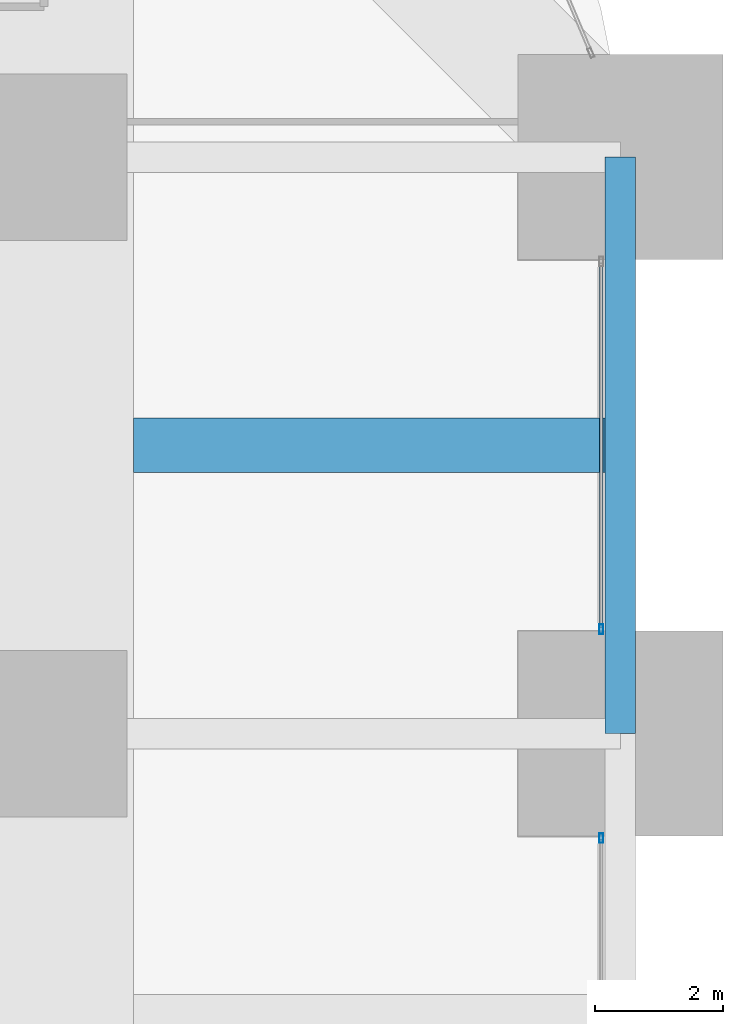
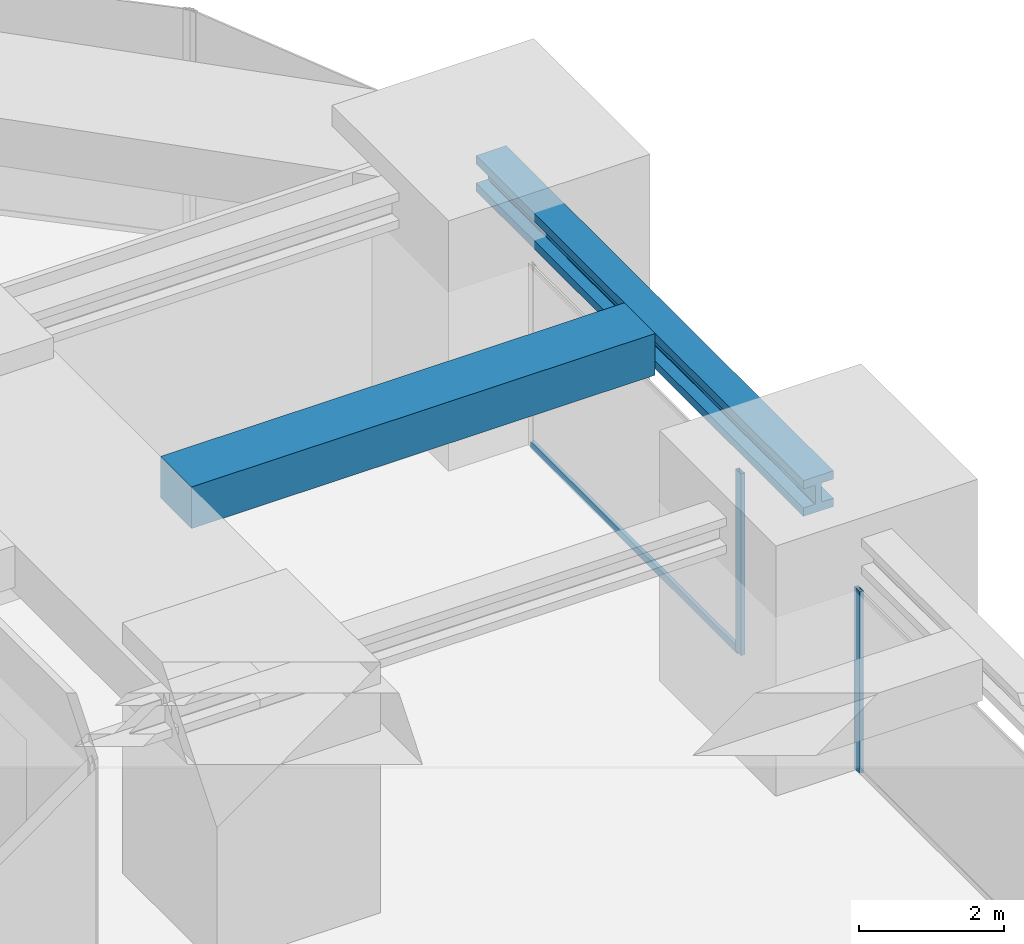
# One storey, part 26 of 45: 3 members, 2 beams, 2 elements without a shape of their own.
"""IFC4 building model written with IfcOpenShell, lengths in metres."""

from ifc_helpers import new_model, si_unit, direction, frame, origin, origin_2d, place, context, subcontext, project, spatial, rectangle, hollow_rectangle, i_section, extrude, material, material_profile, profile_set, type_object, element, aggregate, save


model = new_model("IFC4")

# Units and contexts
model_context = context("Model", 3, precision=1e-05, world=origin(), true_north=direction((0.0, 1.0)))
body_context = subcontext(model_context, "Body", "Model", "MODEL_VIEW")
ifc_project = project(units=[si_unit("LENGTHUNIT", "METRE"), si_unit("AREAUNIT", "SQUARE_METRE"), si_unit("VOLUMEUNIT", "CUBIC_METRE"), si_unit("PLANEANGLEUNIT", "RADIAN"), si_unit("MASSUNIT", "GRAM", prefix="KILO")], contexts=[model_context])

# Site, building, storey
site_placement = place(None, origin())
site = spatial("IfcSite", under=ifc_project, at=site_placement, CompositionType="ELEMENT")
building_placement = place(site_placement, origin())
building = spatial("IfcBuilding", under=site, at=building_placement, Name="Zorevar Civic Tower", CompositionType="ELEMENT")
storey_placement = place(building_placement, frame((0.0, 0.0, 153.0)))
storey = spatial("IfcBuildingStorey", under=building, at=storey_placement, Name="L37", CompositionType="ELEMENT", Elevation=153.0)

# Beams
ifc_material_1 = material(Name="Concrete C50/60", Category="concrete")
ifc_material_profile_1 = material_profile(ifc_material_1, rectangle(XDim=0.85009765625, YDim=0.699951171875, at=origin_2d()), Name="RC 850x700")
ifc_profile_set_1 = profile_set([ifc_material_profile_1], Name="Concrete C50/60")
beam_type_1 = type_object("IfcBeamType", Name="Beam RC 850x700", PredefinedType="BEAM", material=ifc_profile_set_1)
beam_1_placement = place(storey_placement, frame((55.39990234375, 31.5, 3.5), z_axis=(1.0, 0.0, 0.0), x_axis=(0.0, 1.0, 0.0)))
element("IfcBeam", 1, at=beam_1_placement, inside=storey, type_object=beam_type_1, Name="Secondary beam L38", PredefinedType="BEAM", context=body_context, shape_type="SweptSolid", body=[
    extrude(rectangle(XDim=0.85009765625, YDim=0.699951171875, at=origin_2d()), origin(), (0.0, 0.0, 1.0), 7.362060546875),
])
ifc_material_2 = material(Name="Steel S460M (HISTAR 460)", Category="steel")
ifc_material_profile_2 = material_profile(ifc_material_2, i_section(OverallWidth=0.47607421875, OverallDepth=0.60009765625, WebThickness=0.10009765625, FlangeThickness=0.139892578125, FilletRadius=0.014892578125, at=origin_2d()), Name="HD 400x1299")
ifc_profile_set_2 = profile_set([ifc_material_profile_2], Name="Steel S460M (HISTAR 460)")
beam_type_2 = type_object("IfcBeamType", Name="Belt chord HD 400x1299", PredefinedType="BEAM", material=ifc_profile_set_2)
beam_2_placement = place(storey_placement, frame((63.0, 27.0, 3.550048828125), z_axis=(0.0, 1.0, 0.0), x_axis=(-1.0, 0.0, 0.0)))
element("IfcBeam", 2, at=beam_2_placement, inside=storey, type_object=beam_type_2, Name="Belt chord L38", PredefinedType="BEAM", context=body_context, shape_type="SweptSolid", body=[
    extrude(i_section(OverallWidth=0.47607421875, OverallDepth=0.60009765625, WebThickness=0.10009765625, FlangeThickness=0.139892578125, FilletRadius=0.014892578125, at=origin_2d()), origin(), (0.0, 0.0, 1.0), 9.0),
])

# Curtain wall, member
ifc_material_3 = material(Name="Dark grey solar-control glass in black aluminium frame", Category="aluminium")
curtain_wall_type = type_object("IfcCurtainWallType", Name="Curtain wall CW3 mid zone", PredefinedType="NOTDEFINED", material=ifc_material_3)
curtain_wall_1_placement = place(storey_placement, origin())
curtain_wall_1 = element("IfcCurtainWall", 3, at=curtain_wall_1_placement, inside=storey, type_object=curtain_wall_type, Name="CW3 L37", PredefinedType="NOTDEFINED")
ifc_material_4 = material(Name="Aluminium, black anodised", Category="aluminium")
ifc_material_profile_3 = material_profile(ifc_material_4, hollow_rectangle(XDim=0.06005859375, YDim=0.14990234375, WallThickness=0.00390625, at=origin_2d()), Name="AL 150x60x4")
ifc_profile_set_3 = profile_set([ifc_material_profile_3], Name="Aluminium, black anodised")
member_type_1 = type_object("IfcMemberType", Name="CW3 mullion AL 150x60x4", PredefinedType="MULLION", material=ifc_profile_set_3)
member_1_placement = place(storey_placement, frame((62.699951171875, 25.3701171875, 0.0), z_axis=(0.0, 0.0, 1.0), x_axis=(-1.0, 0.0, 0.0)))
member_1 = element("IfcMember", 4, at=member_1_placement, type_object=member_type_1, Name="CW3 mullion 2", PredefinedType="MULLION", context=body_context, shape_type="SweptSolid", body=[
    extrude(hollow_rectangle(XDim=0.06005859375, YDim=0.14990234375, WallThickness=0.00390625, at=origin_2d()), origin(), (0.0, 0.0, 1.0), 3.050048828125),
])
aggregate(curtain_wall_1, [member_1])

# Curtain wall, members
curtain_wall_2_placement = place(storey_placement, origin())
curtain_wall_2 = element("IfcCurtainWall", 5, at=curtain_wall_2_placement, inside=storey, type_object=curtain_wall_type, Name="CW3 L37", PredefinedType="NOTDEFINED")
member_2_placement = place(storey_placement, frame((62.699951171875, 28.6298828125, 0.0), z_axis=(0.0, 0.0, 1.0), x_axis=(-1.0, 0.0, 0.0)))
member_2 = element("IfcMember", 6, at=member_2_placement, type_object=member_type_1, Name="CW3 mullion 1", PredefinedType="MULLION", context=body_context, shape_type="SweptSolid", body=[
    extrude(hollow_rectangle(XDim=0.06005859375, YDim=0.14990234375, WallThickness=0.00390625, at=origin_2d()), origin(), (0.0, 0.0, 1.0), 3.050048828125),
])
ifc_material_5 = material(Name="Aluminium, black anodised", Category="aluminium")
ifc_material_profile_4 = material_profile(ifc_material_5, hollow_rectangle(XDim=0.06005859375, YDim=0.1201171875, WallThickness=0.0029296875, at=origin_2d()), Name="AL 120x60x3")
ifc_profile_set_4 = profile_set([ifc_material_profile_4], Name="Aluminium, black anodised")
member_type_2 = type_object("IfcMemberType", Name="CW3 transom AL 120x60x3", PredefinedType="USERDEFINED", material=ifc_profile_set_4)
member_3_placement = place(storey_placement, frame((62.699951171875, 28.659912109375, 0.030029296875), z_axis=(0.0, 1.0, 0.0), x_axis=(-1.0, 0.0, 0.0)))
member_3 = element("IfcMember", 7, at=member_3_placement, type_object=member_type_2, Name="CW3 sill transom", ObjectType="TRANSOM", PredefinedType="USERDEFINED", context=body_context, shape_type="SweptSolid", body=[
    extrude(hollow_rectangle(XDim=0.06005859375, YDim=0.1201171875, WallThickness=0.0029296875, at=origin_2d()), origin(), (0.0, 0.0, 1.0), 5.68017578125),
])
aggregate(curtain_wall_2, [member_2, member_3])

save(model, "model.ifc")
